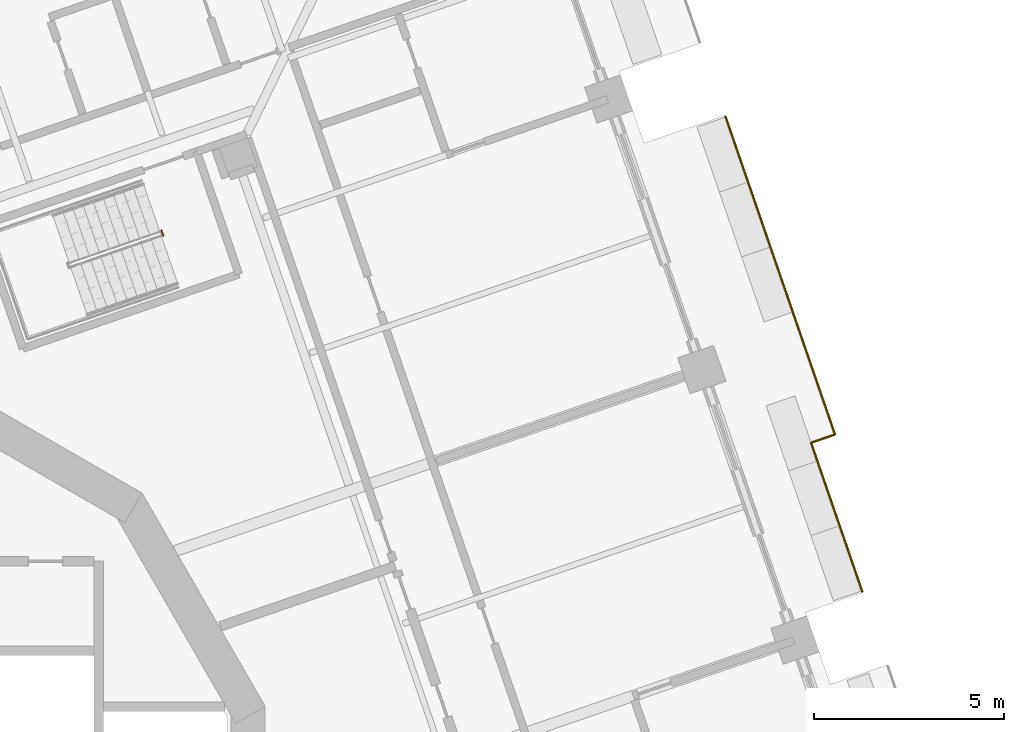
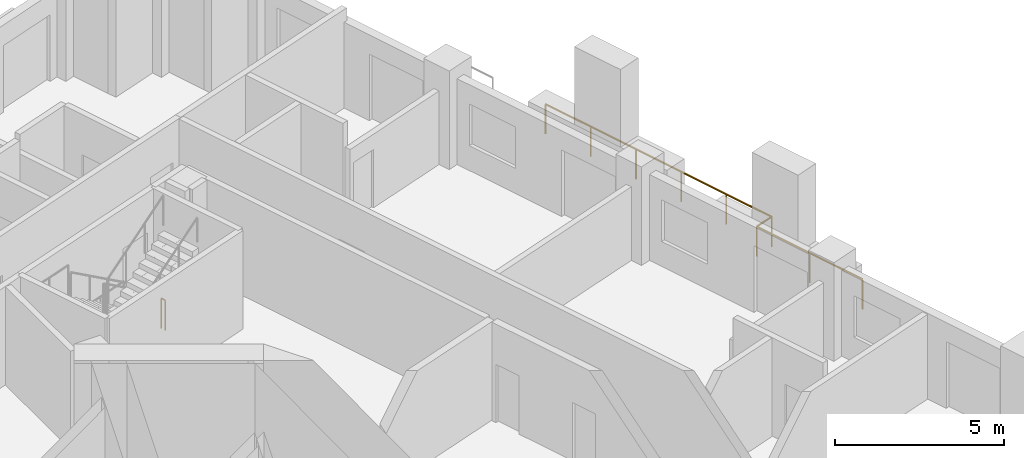
# One storey, part 20 of 22: 3 railings.
"""IFC4 building model written with IfcOpenShell, lengths in metres."""

from ifc_helpers import new_model, si_unit, direction, frame, origin, origin_2d, place, context, subcontext, project, spatial, circle, extrude, material, type_object, element, save


model = new_model("IFC4")

# Units and contexts
model_context = context("Model", 3, precision=1e-05, world=origin(), true_north=direction((0.0, 1.0)))
body_context = subcontext(model_context, "Body", "Model", "MODEL_VIEW")
ifc_project = project(units=[si_unit("LENGTHUNIT", "METRE"), si_unit("AREAUNIT", "SQUARE_METRE"), si_unit("VOLUMEUNIT", "CUBIC_METRE"), si_unit("PLANEANGLEUNIT", "RADIAN"), si_unit("MASSUNIT", "GRAM", prefix="KILO")], contexts=[model_context])

# Site, building, storey
site_placement = place(None, origin())
site = spatial("IfcSite", under=ifc_project, at=site_placement, CompositionType="ELEMENT")
building_placement = place(site_placement, origin())
building = spatial("IfcBuilding", under=site, at=building_placement, Name="Cantera Rosa Tower", CompositionType="ELEMENT")
storey_placement = place(building_placement, frame((0.0, 0.0, 104.10009765625)))
storey = spatial("IfcBuildingStorey", under=building, at=storey_placement, Name="L20", CompositionType="ELEMENT", Elevation=104.10009765625)

# Railings
ifc_material_1 = material(Name="Stainless steel and laminated glass", Category="steel")
railing_type_1 = type_object("IfcRailingType", Name="GUARD 1100", PredefinedType="BALUSTRADE", material=ifc_material_1)
railing_1_placement = place(storey_placement, frame((26.42041015625, 10.161376953125, 0.0)))
element("IfcRailing", 1, at=railing_1_placement, inside=storey, type_object=railing_type_1, Name="GUARD L20-10", PredefinedType="BALUSTRADE", context=body_context, shape_type="SweptSolid", body=[
    extrude(circle(Radius=0.030029296875, at=origin_2d()), frame((0.0, 0.0, 1.070068359375), z_axis=(0.325526781046, -0.945532820595, 0.0), x_axis=(0.945532820595, 0.325526781046, 0.0)), (0.0, 0.0, 1.0), 4.13623046875),
    extrude(circle(Radius=0.02490234375, at=origin_2d()), origin(), (0.0, 0.0, 1.0), 1.0400390625),
    extrude(circle(Radius=0.02490234375, at=origin_2d()), frame((0.67333984375, -1.95556640625, 0.0)), (0.0, 0.0, 1.0), 1.0400390625),
    extrude(circle(Radius=0.02490234375, at=origin_2d()), frame((1.346435546875, -3.910888671875, 0.0)), (0.0, 0.0, 1.0), 1.0400390625),
])
railing_2_placement = place(storey_placement, frame((24.169677734375, 18.73974609375, 0.0)))
element("IfcRailing", 2, at=railing_2_placement, inside=storey, type_object=railing_type_1, Name="GUARD L20-11", PredefinedType="BALUSTRADE", context=body_context, shape_type="SweptSolid", body=[
    extrude(circle(Radius=0.030029296875, at=origin_2d()), frame((0.0, 0.0, 1.070068359375), z_axis=(0.325578887948, -0.945514879694, 0.0), x_axis=(0.945514879694, 0.325578887948, 0.0)), (0.0, 0.0, 1.0), 8.843994140625),
    extrude(circle(Radius=0.030029296875, at=origin_2d()), frame((2.87939453125, -8.362060546875, 1.070068359375), z_axis=(-0.945591306029, -0.325356853259, 0.0), x_axis=(0.325356853259, -0.945591306029, 0.0)), (0.0, 0.0, 1.0), 0.664794921875),
    extrude(circle(Radius=0.02490234375, at=origin_2d()), origin(), (0.0, 0.0, 1.0), 1.0400390625),
    extrude(circle(Radius=0.02490234375, at=origin_2d()), frame((0.575927734375, -1.67236328125, 0.0)), (0.0, 0.0, 1.0), 1.0400390625),
    extrude(circle(Radius=0.02490234375, at=origin_2d()), frame((1.15185546875, -3.3447265625, 0.0)), (0.0, 0.0, 1.0), 1.0400390625),
    extrude(circle(Radius=0.02490234375, at=origin_2d()), frame((1.7275390625, -5.017333984375, 0.0)), (0.0, 0.0, 1.0), 1.0400390625),
    extrude(circle(Radius=0.02490234375, at=origin_2d()), frame((2.303466796875, -6.689697265625, 0.0)), (0.0, 0.0, 1.0), 1.0400390625),
    extrude(circle(Radius=0.02490234375, at=origin_2d()), frame((2.87939453125, -8.362060546875, 0.0)), (0.0, 0.0, 1.0), 1.0400390625),
    extrude(circle(Radius=0.02490234375, at=origin_2d()), frame((2.250732421875, -8.578369140625, 0.0)), (0.0, 0.0, 1.0), 1.0400390625),
])
ifc_material_2 = material(Name="Steel S355J2 (EN 10025-2)", Category="steel")
railing_type_2 = type_object("IfcRailingType", Name="STAIR GUARD 1100", PredefinedType="GUARDRAIL", material=ifc_material_2)
railing_3_placement = place(storey_placement, frame((9.3466796875, 15.742919921875, 0.0)))
element("IfcRailing", 3, at=railing_3_placement, inside=storey, type_object=railing_type_2, Name="L20 ST-21 stair guard 3", PredefinedType="GUARDRAIL", context=body_context, shape_type="SweptSolid", body=[
    extrude(circle(Radius=0.02392578125, at=origin_2d()), frame((0.0, 0.0, 1.076171875), z_axis=(0.325489086777, -0.945545797087, 0.0), x_axis=(0.945545797087, 0.325489086777, 0.0)), (0.0, 0.0, 1.0), 0.14990234375),
    extrude(circle(Radius=0.02099609375, at=origin_2d()), origin(), (0.0, 0.0, 1.0), 1.052001953125),
    extrude(circle(Radius=0.02099609375, at=origin_2d()), frame((0.048828125, -0.141845703125, 0.0)), (0.0, 0.0, 1.0), 1.052001953125),
])

save(model, "model.ifc")
